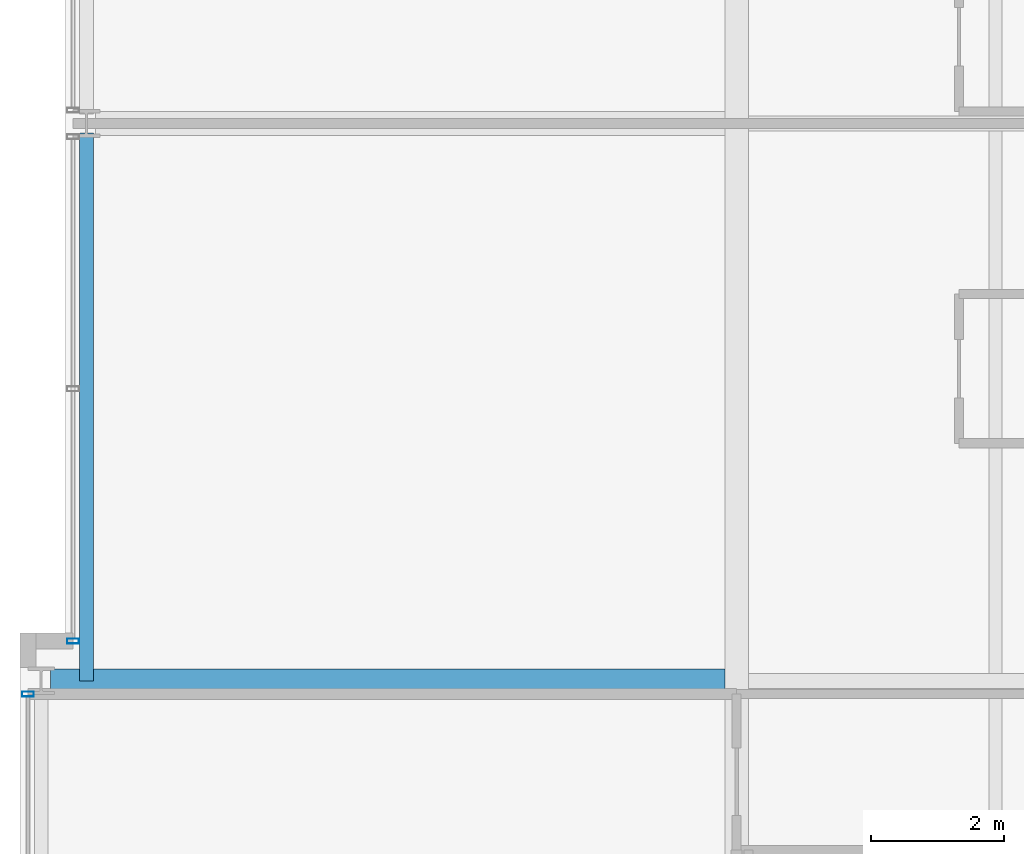
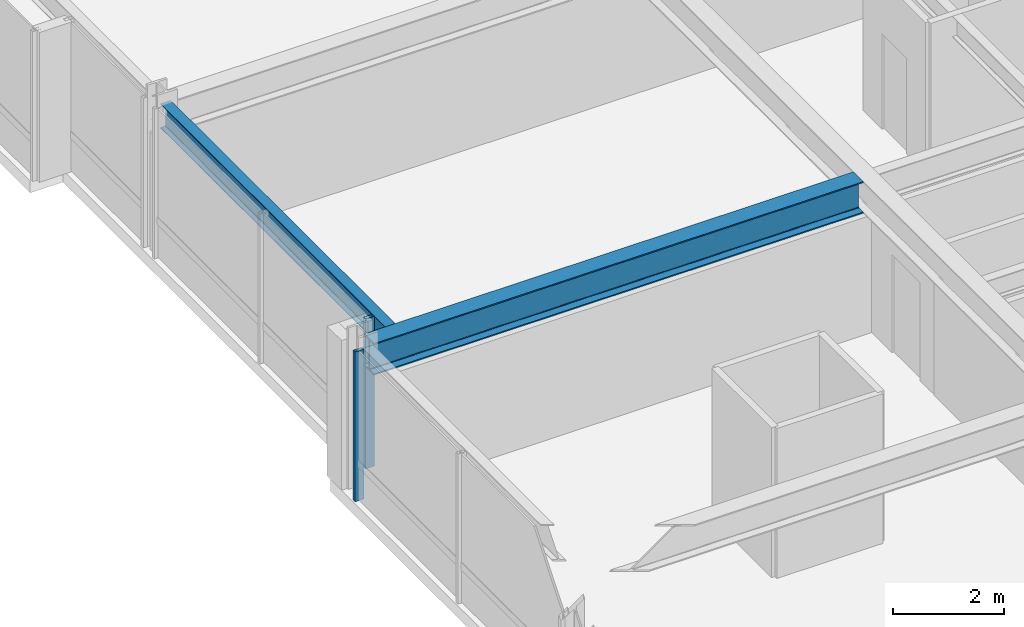
# One storey, part 7 of 32: 2 beams, 2 members, 2 elements without a shape of their own.
"""IFC4 building model written with IfcOpenShell, lengths in metres."""

from ifc_helpers import new_model, si_unit, direction, frame, origin, origin_2d, place, context, subcontext, project, spatial, hollow_rectangle, i_section, extrude, material, layer, layer_set, material_profile, profile_set, type_object, element, aggregate, save


model = new_model("IFC4")

# Units and contexts
model_context = context("Model", 3, precision=1e-05, world=origin(), true_north=direction((0.0, 1.0)))
body_context = subcontext(model_context, "Body", "Model", "MODEL_VIEW")
ifc_project = project(units=[si_unit("LENGTHUNIT", "METRE"), si_unit("AREAUNIT", "SQUARE_METRE"), si_unit("VOLUMEUNIT", "CUBIC_METRE"), si_unit("PLANEANGLEUNIT", "RADIAN"), si_unit("MASSUNIT", "GRAM", prefix="KILO")], contexts=[model_context])

# Site, building, storey
site_placement = place(None, origin())
site = spatial("IfcSite", under=ifc_project, at=site_placement, CompositionType="ELEMENT")
building_placement = place(site_placement, origin())
building = spatial("IfcBuilding", under=site, at=building_placement, Name="Drelvath Grand Hotel", CompositionType="ELEMENT")
storey_placement = place(building_placement, frame((0.0, 0.0, 157.5)))
storey = spatial("IfcBuildingStorey", under=building, at=storey_placement, Name="L40", CompositionType="ELEMENT", Elevation=157.5)

# Curtain wall, member
ifc_material_1 = material(Name="Brushed Pale-Silver Anodised Aluminium Frame", Category="aluminium")
ifc_layer = layer(ifc_material_1, 0.199951171875)
ifc_layer_set = layer_set([ifc_layer], Name="Brushed Pale-Silver Anodised Aluminium Frame")
curtain_wall_type = type_object("IfcCurtainWallType", Name="Stick Curtain Wall CW-04 Brushed Silver Upper-Mid", PredefinedType="NOTDEFINED", material=ifc_layer_set)
curtain_wall_1_placement = place(storey_placement, origin())
curtain_wall_1 = element("IfcCurtainWall", 1, at=curtain_wall_1_placement, inside=storey, type_object=curtain_wall_type, Name="L40 CW-04 Curtain Wall CW04-L40-WS2", PredefinedType="NOTDEFINED")
ifc_material_profile_1 = material_profile(ifc_material_1, hollow_rectangle(XDim=0.074951171875, YDim=0.179931640625, WallThickness=0.0048828125, at=origin_2d()), Name="HSS180X75X5")
ifc_profile_set_1 = profile_set([ifc_material_profile_1], Name="Brushed Pale-Silver Anodised Aluminium Frame")
member_type = type_object("IfcMemberType", Name="Curtain Wall Vertical Mullion CW-04 HSS180X75X5", PredefinedType="MULLION", material=ifc_profile_set_1)
member_1_placement = place(storey_placement, frame((-26.8798828125, 18.39990234375, 0.0), z_axis=(0.0, 0.0, 1.0), x_axis=(0.0, 1.0, 0.0)))
member_1 = element("IfcMember", 2, at=member_1_placement, type_object=member_type, Name="CW04-L40-WS2 Mullion 3", PredefinedType="MULLION", context=body_context, shape_type="SweptSolid", body=[
    extrude(hollow_rectangle(XDim=0.074951171875, YDim=0.179931640625, WallThickness=0.0048828125, at=origin_2d()), origin(), (0.0, 0.0, 1.0), 3.2900390625),
])
aggregate(curtain_wall_1, [member_1])

curtain_wall_2_placement = place(storey_placement, origin())
curtain_wall_2 = element("IfcCurtainWall", 3, at=curtain_wall_2_placement, inside=storey, type_object=curtain_wall_type, Name="L40 CW-04 Curtain Wall CW04-L40-WM1", PredefinedType="NOTDEFINED")
member_2_placement = place(storey_placement, frame((-26.199951171875, 19.199951171875, 0.0), z_axis=(0.0, 0.0, 1.0), x_axis=(0.0, 1.0, 0.0)))
member_2 = element("IfcMember", 4, at=member_2_placement, type_object=member_type, Name="CW04-L40-WM1 Mullion 1", PredefinedType="MULLION", context=body_context, shape_type="SweptSolid", body=[
    extrude(hollow_rectangle(XDim=0.074951171875, YDim=0.179931640625, WallThickness=0.0048828125, at=origin_2d()), origin(), (0.0, 0.0, 1.0), 3.2900390625),
])
aggregate(curtain_wall_2, [member_2])

# Beams
ifc_material_2 = material(Name="Steel ASTM A992 Gr 50", Category="steel")
ifc_material_profile_2 = material_profile(ifc_material_2, i_section(OverallWidth=0.210205078125, OverallDepth=0.53662109375, WebThickness=0.010986328125, FlangeThickness=0.017333984375, FilletRadius=0.01806640625, at=origin_2d()), Name="W21X68")
ifc_profile_set_2 = profile_set([ifc_material_profile_2], Name="Steel ASTM A992 Gr 50")
beam_type_1 = type_object("IfcBeamType", Name="Perimeter Spandrel Beam W21X68", PredefinedType="SPANDREL", material=ifc_profile_set_2)
beam_1_placement = place(storey_placement, frame((-26.0, 18.60009765625, 3.021484375), z_axis=(0.0, 1.0, 0.0), x_axis=(-1.0, 0.0, 0.0)))
element("IfcBeam", 5, at=beam_1_placement, inside=storey, type_object=beam_type_1, Name="L40 Spandrel West Mid S", PredefinedType="SPANDREL", context=body_context, shape_type="SweptSolid", body=[
    extrude(i_section(OverallWidth=0.210205078125, OverallDepth=0.53662109375, WebThickness=0.010986328125, FlangeThickness=0.017333984375, FilletRadius=0.01806640625, at=origin_2d()), origin(), (0.0, 0.0, 1.0), 8.260009765625),
])
ifc_material_profile_3 = material_profile(ifc_material_2, i_section(OverallWidth=0.354736328125, OverallDepth=0.695556640625, WebThickness=0.015380859375, FlangeThickness=0.025146484375, FilletRadius=0.02392578125, at=origin_2d()), Name="W27X146")
ifc_profile_set_3 = profile_set([ifc_material_profile_3], Name="Steel ASTM A992 Gr 50")
beam_type_2 = type_object("IfcBeamType", Name="Primary Floor Girder W27X146", PredefinedType="BEAM", material=ifc_profile_set_3)
beam_2_placement = place(storey_placement, frame((-26.5400390625, 18.60009765625, 2.9423828125), z_axis=(1.0, 0.0, 0.0), x_axis=(0.0, 1.0, 0.0)))
element("IfcBeam", 6, at=beam_2_placement, inside=storey, type_object=beam_type_2, Name="L40 West Wing Girder D", PredefinedType="BEAM", context=body_context, shape_type="SweptSolid", body=[
    extrude(i_section(OverallWidth=0.354736328125, OverallDepth=0.695556640625, WebThickness=0.015380859375, FlangeThickness=0.025146484375, FilletRadius=0.02392578125, at=origin_2d()), origin(), (0.0, 0.0, 1.0), 10.16259765625),
])

save(model, "model.ifc")
